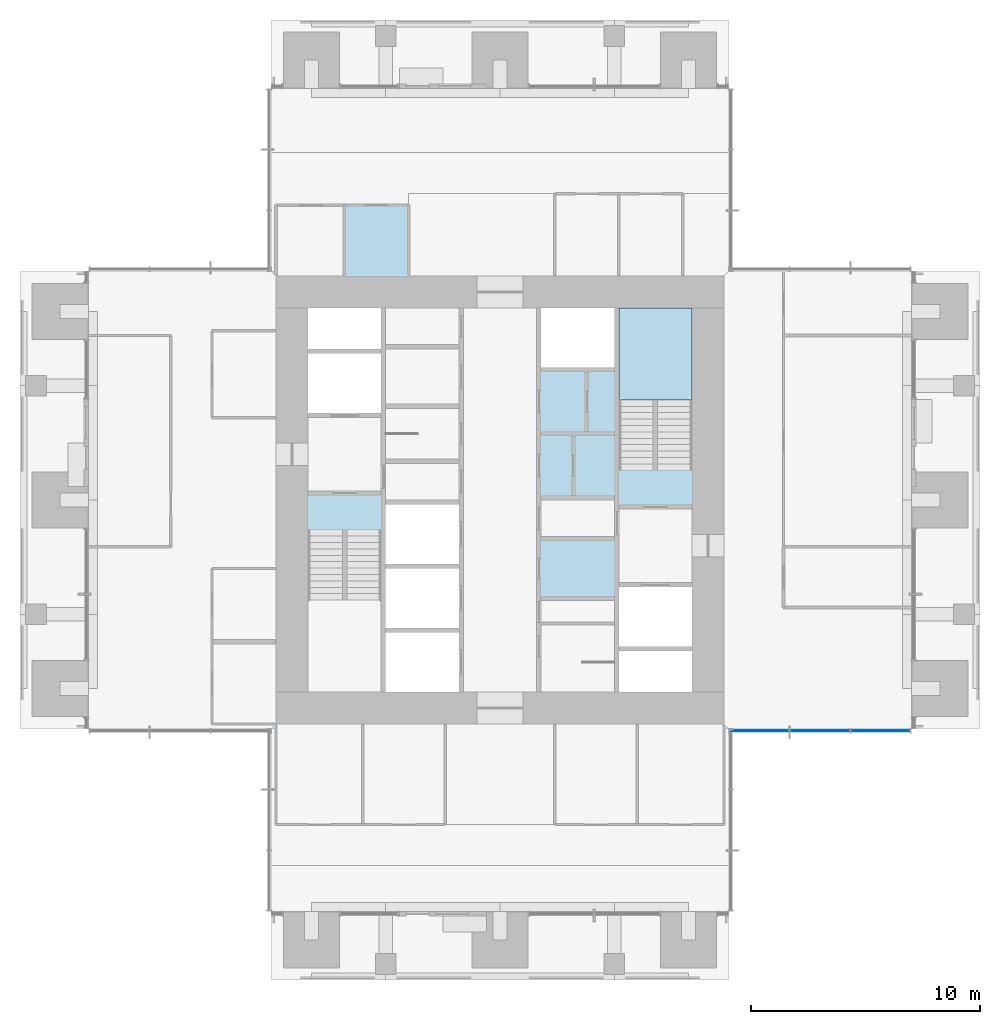
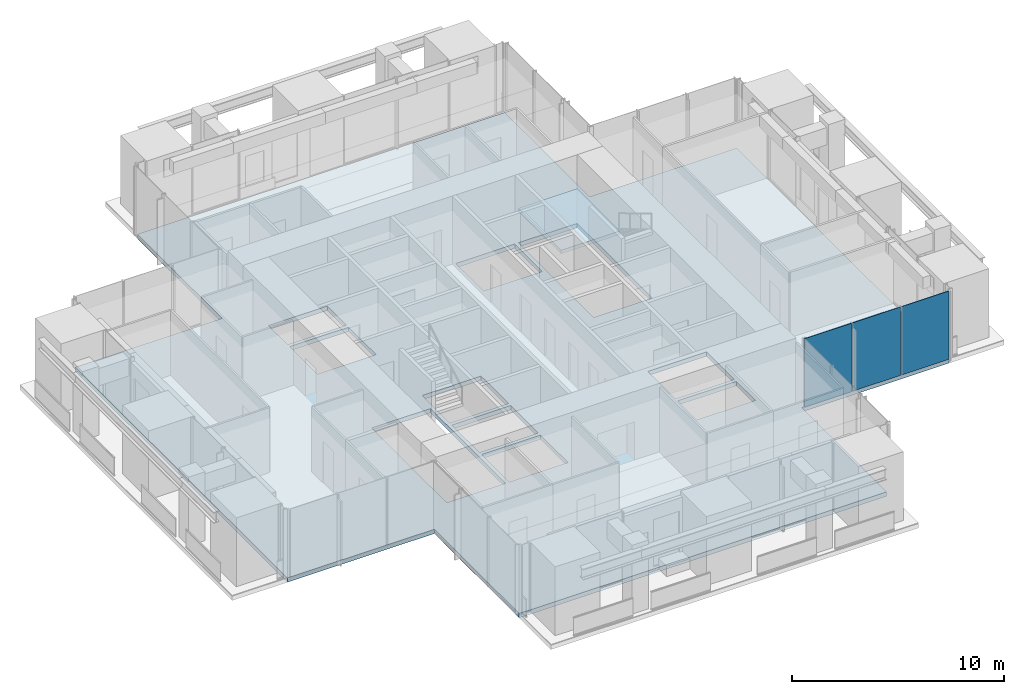
# One storey, part 9 of 17: 3 plates, 2 slabs, 2 elements without a shape of their own.
"""IFC4 building model written with IfcOpenShell, lengths in metres."""

from ifc_helpers import new_model, si_unit, direction, frame, origin, origin_2d, place, context, subcontext, project, spatial, polyline, rectangle, outline, extrude, material, layer, layer_set, type_object, element, aggregate, save


model = new_model("IFC4")

# Units and contexts
model_context = context("Model", 3, precision=1e-05, world=origin(), true_north=direction((0.0, 1.0)))
body_context = subcontext(model_context, "Body", "Model", "MODEL_VIEW")
ifc_project = project(units=[si_unit("LENGTHUNIT", "METRE"), si_unit("AREAUNIT", "SQUARE_METRE"), si_unit("VOLUMEUNIT", "CUBIC_METRE"), si_unit("PLANEANGLEUNIT", "RADIAN"), si_unit("MASSUNIT", "GRAM", prefix="KILO")], contexts=[model_context])

# Site, building, storey
site_placement = place(None, origin())
site = spatial("IfcSite", under=ifc_project, at=site_placement, CompositionType="ELEMENT")
building_placement = place(site_placement, origin())
building = spatial("IfcBuilding", under=site, at=building_placement, Name="Svetlomir Tower", CompositionType="ELEMENT")
storey_placement = place(building_placement, frame((0.0, 0.0, 206.5)))
storey = spatial("IfcBuildingStorey", under=building, at=storey_placement, Name="L49", CompositionType="ELEMENT", Elevation=206.5)

# Curtain wall, plates
ifc_material_1 = material(Name="Bronze anodised aluminium curtain wall", Category="aluminium")
curtain_wall_type = type_object("IfcCurtainWallType", Name="CURTAIN WALL CW1 TOWER OFFICE", PredefinedType="NOTDEFINED", material=ifc_material_1)
curtain_wall_placement = place(storey_placement, origin())
curtain_wall = element("IfcCurtainWall", 1, at=curtain_wall_placement, inside=storey, type_object=curtain_wall_type, Name="Curtain wall CW1 L49", PredefinedType="NOTDEFINED")
ifc_material_2 = material(Name="Tinted double glazed unit", Category="glass")
ifc_layer_1 = layer(ifc_material_2, 0.031982421875)
ifc_layer_set_1 = layer_set([ifc_layer_1], Name="Tinted double glazed unit")
plate_type = type_object("IfcPlateType", Name="CW1 GLAZED PANEL 32", PredefinedType="CURTAIN_PANEL", material=ifc_layer_set_1)
plate_1_placement = place(storey_placement, frame((32.349609375, 10.89990234375, 0.06494140625), z_axis=(0.0, 0.0, 1.0), x_axis=(1.0, 0.0, 0.0)))
plate_1 = element("IfcPlate", 2, at=plate_1_placement, type_object=plate_type, Name="CW1 panel 1.1", PredefinedType="CURTAIN_PANEL", context=body_context, shape_type="SweptSolid", body=[
    extrude(rectangle(XDim=2.569091796875, YDim=0.031982421875, at=origin_2d()), origin(), (0.0, 0.0, 1.0), 3.93505859375),
])
plate_2_placement = place(storey_placement, frame((35.0, 10.89990234375, 0.06494140625), z_axis=(0.0, 0.0, 1.0), x_axis=(1.0, 0.0, 0.0)))
plate_2 = element("IfcPlate", 3, at=plate_2_placement, type_object=plate_type, Name="CW1 panel 2.1", PredefinedType="CURTAIN_PANEL", context=body_context, shape_type="SweptSolid", body=[
    extrude(rectangle(XDim=2.6015625, YDim=0.031982421875, at=origin_2d()), origin(), (0.0, 0.0, 1.0), 3.93505859375),
])
plate_3_placement = place(storey_placement, frame((37.650390625, 10.89990234375, 0.06494140625), z_axis=(0.0, 0.0, 1.0), x_axis=(1.0, 0.0, 0.0)))
plate_3 = element("IfcPlate", 4, at=plate_3_placement, type_object=plate_type, Name="CW1 panel 3.1", PredefinedType="CURTAIN_PANEL", context=body_context, shape_type="SweptSolid", body=[
    extrude(rectangle(XDim=2.569091796875, YDim=0.031982421875, at=origin_2d()), origin(), (0.0, 0.0, 1.0), 3.93505859375),
])
aggregate(curtain_wall, [plate_1, plate_2, plate_3])

# Slab
ifc_material_3 = material(Name="Concrete C60/75", Category="concrete")
ifc_layer_2 = layer(ifc_material_3, 0.25)
ifc_layer_set_2 = layer_set([ifc_layer_2], Name="Concrete C60/75")
slab_type_1 = type_object("IfcSlabType", Name="FLOOR SLAB 250", PredefinedType="FLOOR", material=ifc_layer_set_2)
slab_1_placement = place(storey_placement, frame((0.0, 0.0, -0.25)))
element("IfcSlab", 5, at=slab_1_placement, inside=storey, type_object=slab_type_1, Name="L49 floor slab", PredefinedType="FLOOR", context=body_context, shape_type="SweptSolid", body=[
    extrude(outline(polyline([(11.0, 3.0), (31.0, 3.0), (31.0, 11.0), (39.0, 11.0), (39.0, 31.0), (31.0, 31.0), (31.0, 39.0), (11.0, 39.0), (11.0, 31.0), (3.0, 31.0), (3.0, 11.0), (11.0, 11.0), (11.0, 3.0)]), holes=[polyline([(12.60009765625, 24.800048828125), (15.800048828125, 24.800048828125), (15.800048828125, 27.39990234375), (12.60009765625, 27.39990234375), (12.60009765625, 24.800048828125)]), polyline([(26.199951171875, 14.60009765625), (29.39990234375, 14.60009765625), (29.39990234375, 17.199951171875), (26.199951171875, 17.199951171875), (26.199951171875, 14.60009765625)]), polyline([(16.0, 12.60009765625), (19.199951171875, 12.60009765625), (19.199951171875, 15.199951171875), (16.0, 15.199951171875), (16.0, 12.60009765625)]), polyline([(16.0, 15.39990234375), (19.199951171875, 15.39990234375), (19.199951171875, 18.0), (16.0, 18.0), (16.0, 15.39990234375)]), polyline([(16.0, 18.199951171875), (19.199951171875, 18.199951171875), (19.199951171875, 20.800048828125), (16.0, 20.800048828125), (16.0, 18.199951171875)]), polyline([(22.800048828125, 26.800048828125), (26.0, 26.800048828125), (26.0, 29.39990234375), (22.800048828125, 29.39990234375), (22.800048828125, 26.800048828125)]), polyline([(12.60009765625, 27.60009765625), (15.800048828125, 27.60009765625), (15.800048828125, 29.39990234375), (12.60009765625, 29.39990234375), (12.60009765625, 27.60009765625)]), polyline([(26.199951171875, 12.60009765625), (29.39990234375, 12.60009765625), (29.39990234375, 14.39990234375), (26.199951171875, 14.39990234375), (26.199951171875, 12.60009765625)]), polyline([(12.60009765625, 12.60009765625), (15.800048828125, 12.60009765625), (15.800048828125, 19.679931640625), (12.60009765625, 19.679931640625), (12.60009765625, 12.60009765625)]), polyline([(26.199951171875, 22.320068359375), (29.39990234375, 22.320068359375), (29.39990234375, 29.39990234375), (26.199951171875, 29.39990234375), (26.199951171875, 22.320068359375)])]), origin(), (0.0, 0.0, 1.0), 0.25),
])

# Stair, slab
ifc_material_4 = material(Name="Concrete C60/75", Category="concrete")
stair_type = type_object("IfcStairType", Name="EXIT STAIR 3200 RISE 4000", PredefinedType="HALF_TURN_STAIR", material=ifc_material_4)
stair_placement = place(storey_placement, origin())
stair = element("IfcStair", 6, at=stair_placement, inside=storey, type_object=stair_type, Name="Stair S2 L49 to L50", PredefinedType="HALF_TURN_STAIR")
ifc_material_5 = material(Name="Concrete C60/75", Category="concrete")
ifc_layer_3 = layer(ifc_material_5, 0.199951171875)
ifc_layer_set_3 = layer_set([ifc_layer_3], Name="Concrete C60/75")
slab_type_2 = type_object("IfcSlabType", Name="STAIR LANDING 200", PredefinedType="LANDING", material=ifc_layer_set_3)
slab_2_placement = place(storey_placement, frame((0.0, 0.0, 1.800048828125)))
slab_2 = element("IfcSlab", 7, at=slab_2_placement, type_object=slab_type_2, Name="S2 landing 1", PredefinedType="LANDING", context=body_context, shape_type="SweptSolid", body=[
    extrude(outline(polyline([(26.199951171875, 25.3798828125), (29.39990234375, 25.3798828125), (29.39990234375, 29.39990234375), (26.199951171875, 29.39990234375), (26.199951171875, 25.3798828125)])), origin(), (0.0, 0.0, 1.0), 0.199951171875),
])
aggregate(stair, [slab_2])

save(model, "model.ifc")
